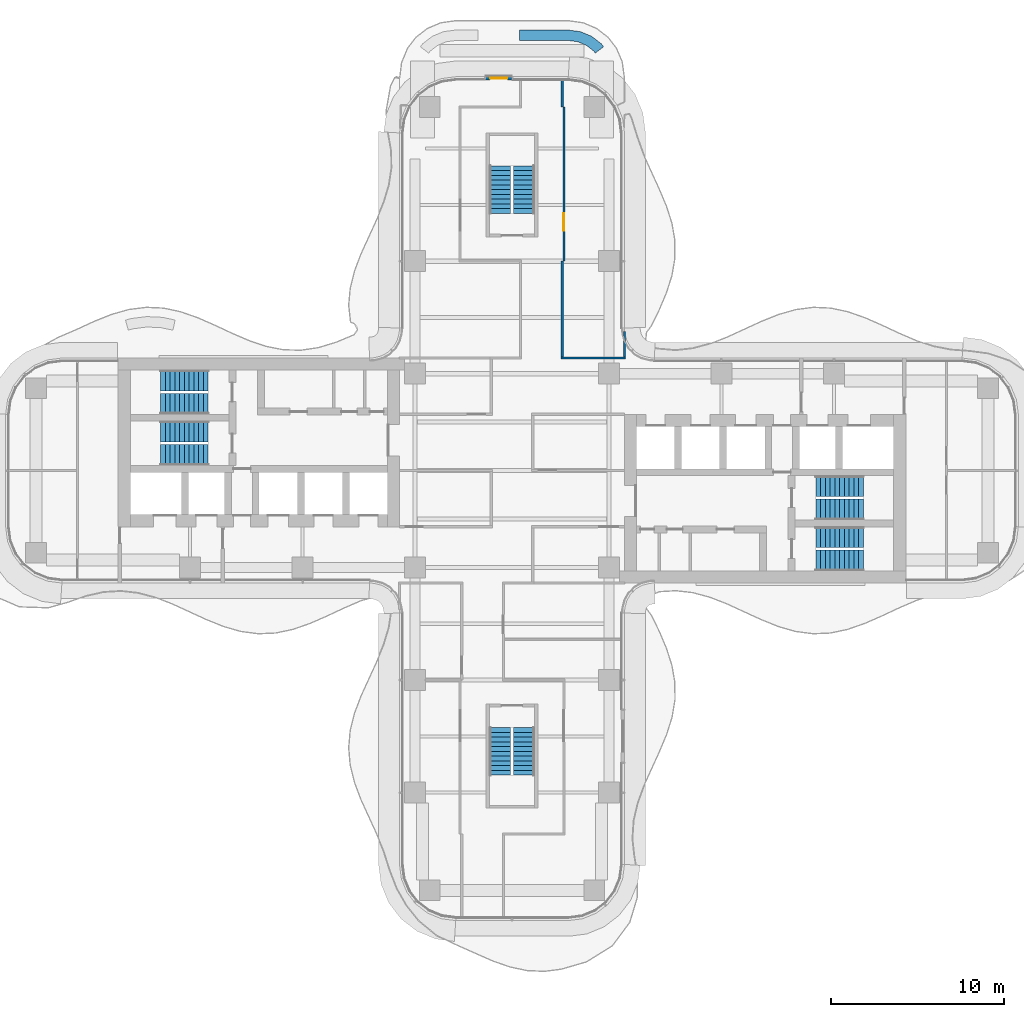
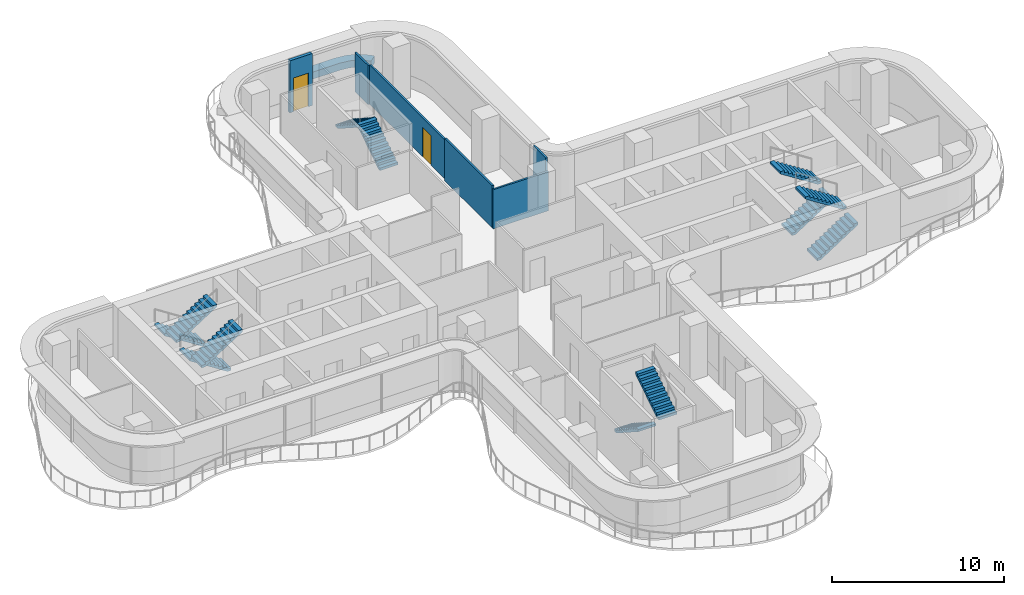
# One storey, part 15 of 17: 12 stair flights, 7 walls, 2 doors, 2 openings, 6 elements without a shape of their own.
"""IFC4 building model written with IfcOpenShell, lengths in metres."""

from ifc_helpers import new_model, si_unit, direction, frame, frame_2d, origin, place, context, subcontext, project, spatial, polyline, rectangle, outline, extrude, source, transform, mapped, material, layer, layer_set, type_object, element, fill, aggregate, save


model = new_model("IFC4")

# Units and contexts
model_context = context("Model", 3, precision=1e-05, world=origin(), true_north=direction((0.0, 1.0)))
body_context = subcontext(model_context, "Body", "Model", "MODEL_VIEW")
ifc_project = project(units=[si_unit("LENGTHUNIT", "METRE"), si_unit("AREAUNIT", "SQUARE_METRE"), si_unit("VOLUMEUNIT", "CUBIC_METRE"), si_unit("PLANEANGLEUNIT", "RADIAN"), si_unit("MASSUNIT", "GRAM", prefix="KILO")], contexts=[model_context])

# Site, building, storey
site_placement = place(None, origin())
site = spatial("IfcSite", under=ifc_project, at=site_placement, CompositionType="ELEMENT")
building_placement = place(site_placement, origin())
building = spatial("IfcBuilding", under=site, at=building_placement, Name="Trellis Farm Tower", CompositionType="ELEMENT")
storey_placement = place(building_placement, frame((0.0, 0.0, 185.39990234375)))
storey = spatial("IfcBuildingStorey", under=building, at=storey_placement, Name="L40", CompositionType="ELEMENT", Elevation=185.39990234375)

# Wall
ifc_material_1 = material(Name="Sandstone faced masonry planter", Category="masonry")
ifc_layer_1 = layer(ifc_material_1, 0.60009765625)
ifc_layer_set_1 = layer_set([ifc_layer_1], Name="PLANTER BED 600")
wall_type_1 = type_object("IfcWallType", Name="PLANTER BED 600", PredefinedType="USERDEFINED", material=ifc_layer_set_1)
placement = place(storey_placement, origin())
element("IfcWall", 1, at=placement, inside=storey, type_object=wall_type_1, Name="PLANTER bed", ObjectType="PLANTER", PredefinedType="USERDEFINED", context=body_context, shape_type="SweptSolid", body=[
    extrude(outline(polyline([(3.214111328125, 25.449951171875), (3.947509765625, 25.353515625), (4.59765625, 25.084228515625), (5.15576171875, 24.65576171875), (5.29052734375, 24.480224609375), (4.814697265625, 24.114990234375), (4.727783203125, 24.227783203125), (4.294921875, 24.56005859375), (3.791015625, 24.768798828125), (3.174560546875, 24.85009765625), (0.429931640625, 24.85009765625), (0.429931640625, 25.449951171875), (3.214111328125, 25.449951171875)])), origin(), (0.0, 0.0, 1.0), 0.5),
])

# Wall, opening, door
ifc_material_2 = material(Name="Sandstone faced insulated wall", Category="masonry")
ifc_layer_2 = layer(ifc_material_2, 0.199951171875)
ifc_layer_set_2 = layer_set([ifc_layer_2], Name="EXTERNAL INFILL WALL 200")
wall_type_2 = type_object("IfcWallType", Name="EXTERNAL INFILL WALL 200", PredefinedType="SOLIDWALL", material=ifc_layer_set_2)
shared_shape_1 = source(origin(), body_context, "Body", "SweptSolid", [
    extrude(rectangle(XDim=1.5, YDim=0.199951171875, at=frame_2d((0.75, 0.0))), origin(), (0.0, 0.0, 1.0), 3.7001953125),
])
wall_2_placement = place(storey_placement, frame((-0.02001953125, 22.64990234375, 0.0), z_axis=(0.0, 0.0, 1.0), x_axis=(-1.0, 0.0, 0.0)))
wall_2 = element("IfcWall", 2, at=wall_2_placement, inside=storey, type_object=wall_type_2, Name="EW1 02", PredefinedType="SOLIDWALL", context=body_context, shape_type="MappedRepresentation", body=[
    mapped(shared_shape_1, transform((0.0, 0.0, 0.0))),
])
shared_shape_2 = source(origin(), body_context, "Body", "SweptSolid", [
    extrude(rectangle(XDim=1.0, YDim=2.39990234375, at=frame_2d((0.5, 1.199951171875))), frame((0.0, 0.110107421875, 0.0), z_axis=(0.0, -1.0, 0.0), x_axis=(1.0, 0.0, 0.0)), (0.0, 0.0, 1.0), 0.22021484375),
])
opening_1_placement = place(wall_2_placement, frame((0.25, 0.0, 0.0)))
opening_1 = element("IfcOpeningElement", 3, at=opening_1_placement, cuts=wall_2, Name="Opening ED2", PredefinedType="OPENING", context=body_context, shape_type="MappedRepresentation", body=[
    mapped(shared_shape_2, transform((0.0, 0.0, 0.0))),
])
ifc_material_3 = material(Name="Aluminium framed glazed door", Category="aluminium")
door_type_1 = type_object("IfcDoorType", Name="BALCONY DOOR 1000x2400", OperationType="SINGLE_SWING_LEFT", PredefinedType="DOOR", material=ifc_material_3)
shared_shape_3 = source(origin(), body_context, "Body", "SweptSolid", [
    extrude(rectangle(XDim=1.0, YDim=2.39990234375, at=frame_2d((0.5, 1.199951171875))), frame((0.0, 0.02490234375, 0.0), z_axis=(0.0, -1.0, 0.0), x_axis=(1.0, 0.0, 0.0)), (0.0, 0.0, 1.0), 0.050048828125),
])
door_1_placement = place(opening_1_placement, origin())
door_1 = element("IfcDoor", 4, at=door_1_placement, inside=storey, type_object=door_type_1, Name="Balcony door", OperationType="SINGLE_SWING_LEFT", OverallHeight=2.39990234375, OverallWidth=1.0, PredefinedType="DOOR", context=body_context, shape_type="MappedRepresentation", body=[
    mapped(shared_shape_3, transform((0.0, 0.0, 0.0))),
])
fill(opening_1, door_1)

# Walls
ifc_material_4 = material(Name="Plasterboard on steel studs, mineral wool", Category="steel")
ifc_layer_3 = layer(ifc_material_4, 0.125)
ifc_layer_set_3 = layer_set([ifc_layer_3], Name="PARTITION 125 STUD EI 60")
wall_type_3 = type_object("IfcWallType", Name="PARTITION 125 STUD EI 60", PredefinedType="PARTITIONING", material=ifc_layer_set_3)
shared_shape_4 = source(origin(), body_context, "Body", "SweptSolid", [
    extrude(rectangle(XDim=5.53759765625, YDim=0.125, at=frame_2d((2.768798828125, 0.0))), origin(), (0.0, 0.0, 1.0), 2.99658203125),
])
wall_3_placement = place(storey_placement, frame((2.89990234375, 12.10009765625, 0.0), z_axis=(0.0, 0.0, 1.0), x_axis=(0.0, -1.0, 0.0)))
element("IfcWall", 5, at=wall_3_placement, inside=storey, type_object=wall_type_3, Name="Partition PW1", PredefinedType="PARTITIONING", context=body_context, shape_type="MappedRepresentation", body=[
    mapped(shared_shape_4, transform((0.0, 0.0, 0.0))),
])
shared_shape_5 = source(origin(), body_context, "Body", "SweptSolid", [
    extrude(rectangle(XDim=3.72509765625, YDim=0.125, at=frame_2d((1.862548828125, 0.0))), origin(), (0.0, 0.0, 1.0), 2.780029296875),
])
wall_4_placement = place(storey_placement, frame((2.83740234375, 6.5, 0.0), z_axis=(0.0, 0.0, 1.0), x_axis=(1.0, 0.0, 0.0)))
element("IfcWall", 6, at=wall_4_placement, inside=storey, type_object=wall_type_3, Name="Partition PW1", PredefinedType="PARTITIONING", context=body_context, shape_type="MappedRepresentation", body=[
    mapped(shared_shape_5, transform((0.0, 0.0, 0.0))),
])
shared_shape_6 = source(origin(), body_context, "Body", "SweptSolid", [
    extrude(rectangle(XDim=1.468994140625, YDim=0.125, at=frame_2d((0.734375, 0.0))), origin(), (0.0, 0.0, 1.0), 3.7001953125),
])
wall_5_placement = place(storey_placement, frame((6.5, 6.5625, 0.0), z_axis=(0.0, 0.0, 1.0), x_axis=(0.0, 1.0, 0.0)))
element("IfcWall", 7, at=wall_5_placement, inside=storey, type_object=wall_type_3, Name="Partition PW1", PredefinedType="PARTITIONING", context=body_context, shape_type="MappedRepresentation", body=[
    mapped(shared_shape_6, transform((0.0, 0.0, 0.0))),
])
shared_shape_7 = source(origin(), body_context, "Body", "SweptSolid", [
    extrude(rectangle(XDim=1.550048828125, YDim=0.125, at=frame_2d((0.77490234375, 0.0))), origin(), (0.0, 0.0, 1.0), 2.780029296875),
])
wall_6_placement = place(storey_placement, frame((2.89990234375, 22.550048828125, 0.0), z_axis=(0.0, 0.0, 1.0), x_axis=(0.0, -1.0, 0.0)))
element("IfcWall", 8, at=wall_6_placement, inside=storey, type_object=wall_type_3, Name="Partition PW1", PredefinedType="PARTITIONING", context=body_context, shape_type="MappedRepresentation", body=[
    mapped(shared_shape_7, transform((0.0, 0.0, 0.0))),
])

# Wall, opening, door
shared_shape_8 = source(origin(), body_context, "Body", "SweptSolid", [
    extrude(rectangle(XDim=8.89990234375, YDim=0.125, at=frame_2d((4.449951171875, 0.0))), origin(), (0.0, 0.0, 1.0), 2.780029296875),
])
wall_7_placement = place(storey_placement, frame((3.0, 21.0, 0.0), z_axis=(0.0, 0.0, 1.0), x_axis=(0.0, -1.0, 0.0)))
wall_7 = element("IfcWall", 9, at=wall_7_placement, inside=storey, type_object=wall_type_3, Name="Partition PW1", PredefinedType="PARTITIONING", context=body_context, shape_type="MappedRepresentation", body=[
    mapped(shared_shape_8, transform((0.0, 0.0, 0.0))),
])
shared_shape_9 = source(origin(), body_context, "Body", "SweptSolid", [
    extrude(rectangle(XDim=1.0, YDim=2.10009765625, at=frame_2d((0.5, 1.050048828125))), frame((0.0, 0.072509765625, 0.0), z_axis=(0.0, -1.0, 0.0), x_axis=(1.0, 0.0, 0.0)), (0.0, 0.0, 1.0), 0.14501953125),
])
opening_2_placement = place(wall_7_placement, frame((6.14990234375, 0.0, 0.0)))
opening_2 = element("IfcOpeningElement", 10, at=opening_2_placement, cuts=wall_7, Name="Opening D110", PredefinedType="OPENING", context=body_context, shape_type="MappedRepresentation", body=[
    mapped(shared_shape_9, transform((0.0, 0.0, 0.0))),
])
ifc_material_5 = material(Name="Fire-rated timber door leaf in a hollow metal frame", Category="wood")
door_type_2 = type_object("IfcDoorType", Name="DOOR 1000x2100 FD30S", OperationType="NOTDEFINED", PredefinedType="DOOR", material=ifc_material_5)
shared_shape_10 = source(origin(), body_context, "Body", "SweptSolid", [
    extrude(rectangle(XDim=1.0, YDim=2.10009765625, at=frame_2d((0.5, 1.050048828125))), frame((0.0, 0.02490234375, 0.0), z_axis=(0.0, -1.0, 0.0), x_axis=(1.0, 0.0, 0.0)), (0.0, 0.0, 1.0), 0.050048828125),
])
door_2_placement = place(opening_2_placement, origin())
door_2 = element("IfcDoor", 11, at=door_2_placement, inside=storey, type_object=door_type_2, Name="Door D110", OperationType="SINGLE_SWING_RIGHT", OverallHeight=2.10009765625, OverallWidth=1.0, PredefinedType="DOOR", context=body_context, shape_type="MappedRepresentation", body=[
    mapped(shared_shape_10, transform((0.0, 0.0, 0.0))),
])
fill(opening_2, door_2)

# Stair, stair flights
ifc_material_6 = material(Name="Concrete C50/60", Category="concrete")
stair_type = type_object("IfcStairType", Name="CORE EXIT STAIR 22 RISERS 177 MM", PredefinedType="HALF_TURN_STAIR", material=ifc_material_6)
stair_1 = element("IfcStair", 12, at=placement, inside=storey, type_object=stair_type, Name="Exit stair N", PredefinedType="HALF_TURN_STAIR")
stair_flight_type = type_object("IfcStairFlightType", Name="STAIR FLIGHT 11 RISERS 177 MM", PredefinedType="STRAIGHT", material=ifc_material_6)
shared_shape_11 = source(origin(), body_context, "Body", "SweptSolid", [
    extrude(outline(polyline([(0.0, 0.0), (0.0, 0.17724609375), (0.27490234375, 0.17724609375), (0.27490234375, 0.3544921875), (0.550048828125, 0.3544921875), (0.550048828125, 0.53173828125), (0.824951171875, 0.53173828125), (0.824951171875, 0.708984375), (1.10009765625, 0.708984375), (1.10009765625, 0.886474609375), (1.375, 0.886474609375), (1.375, 1.063720703125), (1.64990234375, 1.063720703125), (1.64990234375, 1.240966796875), (1.925048828125, 1.240966796875), (1.925048828125, 1.418212890625), (2.199951171875, 1.418212890625), (2.199951171875, 1.595458984375), (2.47509765625, 1.595458984375), (2.47509765625, 1.772705078125), (2.75, 1.772705078125), (2.75, 1.949951171875), (2.75, 1.6181640625), (0.23974609375, 0.0), (0.0, 0.0)])), frame((0.0, 0.60009765625, 0.0), z_axis=(0.0, -1.0, 0.0), x_axis=(1.0, 0.0, 0.0)), (0.0, 0.0, 1.0), 1.199951171875),
])
stair_flight_1_placement = place(storey_placement, frame((0.699951171875, 14.85009765625, 0.0), z_axis=(0.0, 0.0, 1.0), x_axis=(0.0, 1.0, 0.0)))
stair_flight_1 = element("IfcStairFlight", 13, at=stair_flight_1_placement, type_object=stair_flight_type, Name="STN flight 1", NumberOfRisers=11, NumberOfTreads=10, PredefinedType="STRAIGHT", RiserHeight=0.177272727, TreadLength=0.275, context=body_context, shape_type="MappedRepresentation", body=[
    mapped(shared_shape_11, transform((0.0, 0.0, 0.0))),
])
stair_flight_2_placement = place(storey_placement, frame((-0.699951171875, 17.60009765625, 1.9501953125), z_axis=(0.0, 0.0, 1.0), x_axis=(0.0, -1.0, 0.0)))
stair_flight_2 = element("IfcStairFlight", 14, at=stair_flight_2_placement, type_object=stair_flight_type, Name="STN flight 2", NumberOfRisers=11, NumberOfTreads=10, PredefinedType="STRAIGHT", RiserHeight=0.177272727, TreadLength=0.275, context=body_context, shape_type="MappedRepresentation", body=[
    mapped(shared_shape_11, transform((0.0, 0.0, 0.0))),
])
aggregate(stair_1, [stair_flight_1, stair_flight_2])

stair_2 = element("IfcStair", 15, at=placement, inside=storey, type_object=stair_type, Name="Exit stair S", PredefinedType="HALF_TURN_STAIR")
stair_flight_3_placement = place(storey_placement, frame((-0.699951171875, -14.85009765625, 0.0), z_axis=(0.0, 0.0, 1.0), x_axis=(0.0, -1.0, 0.0)))
stair_flight_3 = element("IfcStairFlight", 16, at=stair_flight_3_placement, type_object=stair_flight_type, Name="STS flight 1", NumberOfRisers=11, NumberOfTreads=10, PredefinedType="STRAIGHT", RiserHeight=0.177272727, TreadLength=0.275, context=body_context, shape_type="MappedRepresentation", body=[
    mapped(shared_shape_11, transform((0.0, 0.0, 0.0))),
])
stair_flight_4_placement = place(storey_placement, frame((0.699951171875, -17.60009765625, 1.9501953125), z_axis=(0.0, 0.0, 1.0), x_axis=(0.0, 1.0, 0.0)))
stair_flight_4 = element("IfcStairFlight", 17, at=stair_flight_4_placement, type_object=stair_flight_type, Name="STS flight 2", NumberOfRisers=11, NumberOfTreads=10, PredefinedType="STRAIGHT", RiserHeight=0.177272727, TreadLength=0.275, context=body_context, shape_type="MappedRepresentation", body=[
    mapped(shared_shape_11, transform((0.0, 0.0, 0.0))),
])
aggregate(stair_2, [stair_flight_3, stair_flight_4])

stair_3 = element("IfcStair", 18, at=placement, inside=storey, type_object=stair_type, Name="Exit stair E1", PredefinedType="HALF_TURN_STAIR")
stair_flight_5_placement = place(storey_placement, frame((17.550048828125, -5.199951171875, 0.0), z_axis=(0.0, 0.0, 1.0), x_axis=(1.0, 0.0, 0.0)))
stair_flight_5 = element("IfcStairFlight", 19, at=stair_flight_5_placement, type_object=stair_flight_type, Name="STE1 flight 1", NumberOfRisers=11, NumberOfTreads=10, PredefinedType="STRAIGHT", RiserHeight=0.177272727, TreadLength=0.275, context=body_context, shape_type="MappedRepresentation", body=[
    mapped(shared_shape_11, transform((0.0, 0.0, 0.0))),
])
stair_flight_6_placement = place(storey_placement, frame((20.300048828125, -3.85009765625, 1.9501953125), z_axis=(0.0, 0.0, 1.0), x_axis=(-1.0, 0.0, 0.0)))
stair_flight_6 = element("IfcStairFlight", 20, at=stair_flight_6_placement, type_object=stair_flight_type, Name="STE1 flight 2", NumberOfRisers=11, NumberOfTreads=10, PredefinedType="STRAIGHT", RiserHeight=0.177272727, TreadLength=0.275, context=body_context, shape_type="MappedRepresentation", body=[
    mapped(shared_shape_11, transform((0.0, 0.0, 0.0))),
])
aggregate(stair_3, [stair_flight_5, stair_flight_6])

stair_4 = element("IfcStair", 21, at=placement, inside=storey, type_object=stair_type, Name="Exit stair E2", PredefinedType="HALF_TURN_STAIR")
stair_flight_7_placement = place(storey_placement, frame((17.550048828125, -2.25, 0.0), z_axis=(0.0, 0.0, 1.0), x_axis=(1.0, 0.0, 0.0)))
stair_flight_7 = element("IfcStairFlight", 22, at=stair_flight_7_placement, type_object=stair_flight_type, Name="STE2 flight 1", NumberOfRisers=11, NumberOfTreads=10, PredefinedType="STRAIGHT", RiserHeight=0.177272727, TreadLength=0.275, context=body_context, shape_type="MappedRepresentation", body=[
    mapped(shared_shape_11, transform((0.0, 0.0, 0.0))),
])
stair_flight_8_placement = place(storey_placement, frame((20.300048828125, -0.89990234375, 1.9501953125), z_axis=(0.0, 0.0, 1.0), x_axis=(-1.0, 0.0, 0.0)))
stair_flight_8 = element("IfcStairFlight", 23, at=stair_flight_8_placement, type_object=stair_flight_type, Name="STE2 flight 2", NumberOfRisers=11, NumberOfTreads=10, PredefinedType="STRAIGHT", RiserHeight=0.177272727, TreadLength=0.275, context=body_context, shape_type="MappedRepresentation", body=[
    mapped(shared_shape_11, transform((0.0, 0.0, 0.0))),
])
aggregate(stair_4, [stair_flight_7, stair_flight_8])

stair_5 = element("IfcStair", 24, at=placement, inside=storey, type_object=stair_type, Name="Exit stair W1", PredefinedType="HALF_TURN_STAIR")
stair_flight_9_placement = place(storey_placement, frame((-17.550048828125, 5.199951171875, 0.0), z_axis=(0.0, 0.0, 1.0), x_axis=(-1.0, 0.0, 0.0)))
stair_flight_9 = element("IfcStairFlight", 25, at=stair_flight_9_placement, type_object=stair_flight_type, Name="STW1 flight 1", NumberOfRisers=11, NumberOfTreads=10, PredefinedType="STRAIGHT", RiserHeight=0.177272727, TreadLength=0.275, context=body_context, shape_type="MappedRepresentation", body=[
    mapped(shared_shape_11, transform((0.0, 0.0, 0.0))),
])
stair_flight_10_placement = place(storey_placement, frame((-20.300048828125, 3.85009765625, 1.9501953125), z_axis=(0.0, 0.0, 1.0), x_axis=(1.0, 0.0, 0.0)))
stair_flight_10 = element("IfcStairFlight", 26, at=stair_flight_10_placement, type_object=stair_flight_type, Name="STW1 flight 2", NumberOfRisers=11, NumberOfTreads=10, PredefinedType="STRAIGHT", RiserHeight=0.177272727, TreadLength=0.275, context=body_context, shape_type="MappedRepresentation", body=[
    mapped(shared_shape_11, transform((0.0, 0.0, 0.0))),
])
aggregate(stair_5, [stair_flight_9, stair_flight_10])

stair_6 = element("IfcStair", 27, at=placement, inside=storey, type_object=stair_type, Name="Exit stair W2", PredefinedType="HALF_TURN_STAIR")
stair_flight_11_placement = place(storey_placement, frame((-17.550048828125, 2.25, 0.0), z_axis=(0.0, 0.0, 1.0), x_axis=(-1.0, 0.0, 0.0)))
stair_flight_11 = element("IfcStairFlight", 28, at=stair_flight_11_placement, type_object=stair_flight_type, Name="STW2 flight 1", NumberOfRisers=11, NumberOfTreads=10, PredefinedType="STRAIGHT", RiserHeight=0.177272727, TreadLength=0.275, context=body_context, shape_type="MappedRepresentation", body=[
    mapped(shared_shape_11, transform((0.0, 0.0, 0.0))),
])
stair_flight_12_placement = place(storey_placement, frame((-20.300048828125, 0.89990234375, 1.9501953125), z_axis=(0.0, 0.0, 1.0), x_axis=(1.0, 0.0, 0.0)))
stair_flight_12 = element("IfcStairFlight", 29, at=stair_flight_12_placement, type_object=stair_flight_type, Name="STW2 flight 2", NumberOfRisers=11, NumberOfTreads=10, PredefinedType="STRAIGHT", RiserHeight=0.177272727, TreadLength=0.275, context=body_context, shape_type="MappedRepresentation", body=[
    mapped(shared_shape_11, transform((0.0, 0.0, 0.0))),
])
aggregate(stair_6, [stair_flight_11, stair_flight_12])

save(model, "model.ifc")
